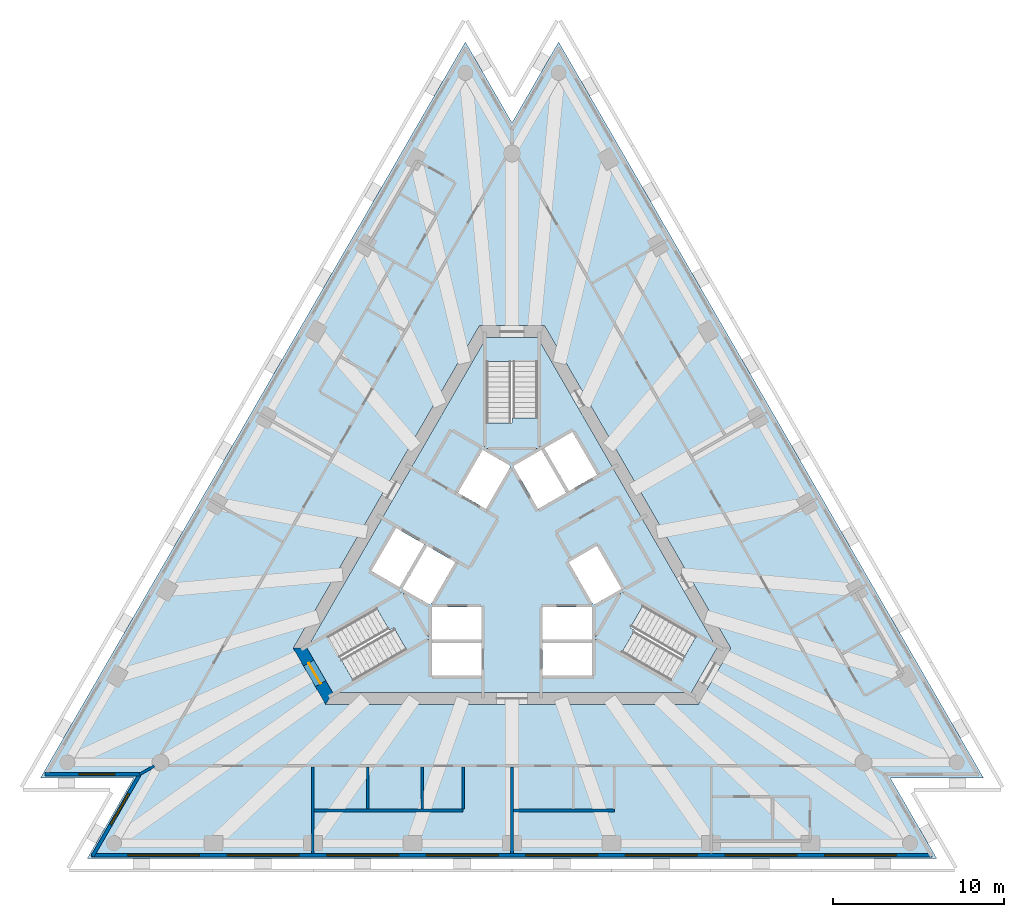
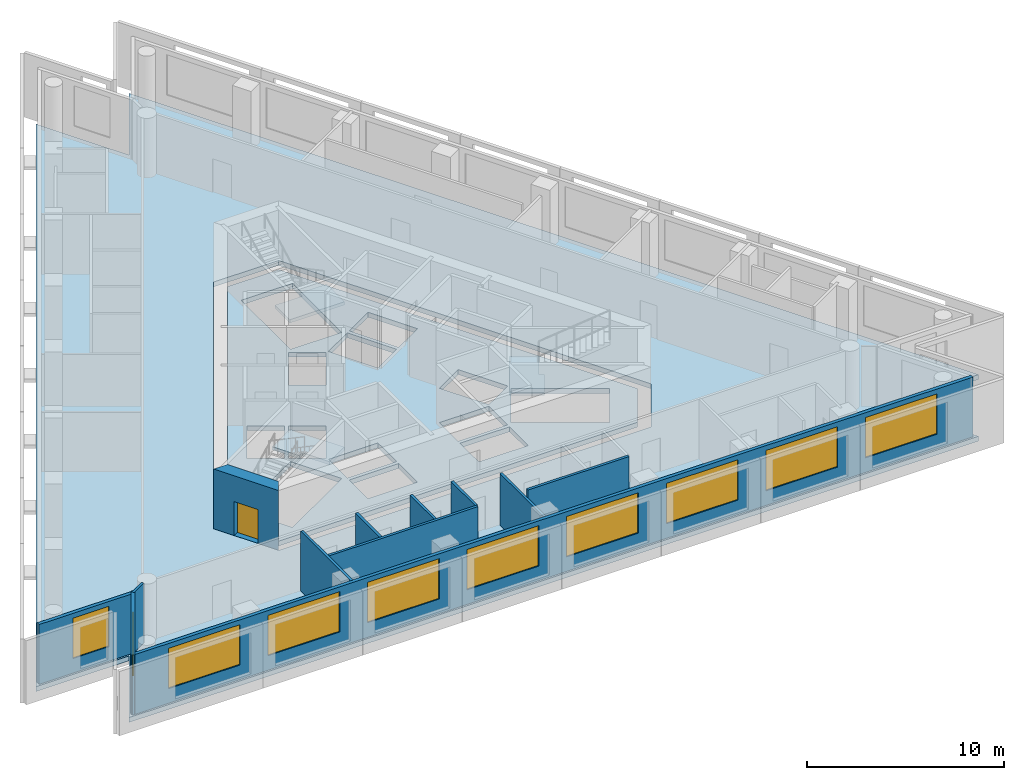
# One storey, part 2 of 10: 12 walls, 10 windows, 5 slabs, 1 door, 11 openings, 3 elements without a shape of their own.
"""IFC4 building model written with IfcOpenShell, lengths in metres."""

from ifc_helpers import new_model, si_unit, direction, frame, frame_2d, origin, place, context, subcontext, project, spatial, polyline, rectangle, outline, extrude, material, layer, layer_set, layer_usage, type_object, element, fill, aggregate, save


model = new_model("IFC4")

# Units and contexts
model_context = context("Model", 3, precision=1e-05, world=origin(), true_north=direction((0.0, 1.0)))
body_context = subcontext(model_context, "Body", "Model", "MODEL_VIEW")
ifc_project = project(units=[si_unit("LENGTHUNIT", "METRE"), si_unit("AREAUNIT", "SQUARE_METRE"), si_unit("VOLUMEUNIT", "CUBIC_METRE"), si_unit("PLANEANGLEUNIT", "RADIAN"), si_unit("MASSUNIT", "GRAM", prefix="KILO")], contexts=[model_context])

# Site, building, storey
site_placement = place(None, origin())
site = spatial("IfcSite", under=ifc_project, at=site_placement, CompositionType="ELEMENT")
building_placement = place(site_placement, origin())
building = spatial("IfcBuilding", under=site, at=building_placement, Name="Triada Interchange Tower", CompositionType="ELEMENT")
storey_placement = place(building_placement, frame((0.0, 0.0, 239.300048828125)))
storey = spatial("IfcBuildingStorey", under=building, at=storey_placement, Name="L56", CompositionType="ELEMENT", Elevation=239.300048828125)

# Slabs
ifc_material_1 = material(Name="Concrete C50/60", Category="concrete")
ifc_layer_1 = layer(ifc_material_1, 0.300048828125)
ifc_layer_set_1 = layer_set([ifc_layer_1], Name="Floor slab 300")
slab_type_1 = type_object("IfcSlabType", Name="Floor slab 300", PredefinedType="FLOOR", material=ifc_layer_set_1)
slab_1_placement = place(storey_placement, frame((0.0, 0.0, -0.300048828125)))
element("IfcSlab", 1, at=slab_1_placement, inside=storey, type_object=slab_type_1, Name="Floor slab L56", PredefinedType="FLOOR", context=body_context, shape_type="SweptSolid", body=[
    extrude(outline(polyline([(-2.73193359375, 30.31689453125), (-27.62109375, -12.79296875), (-22.156982421875, -12.79296875), (-24.888916015625, -17.52392578125), (24.888916015625, -17.52392578125), (22.156982421875, -12.79296875), (27.62109375, -12.79296875), (2.73193359375, 30.31689453125), (0.0, 25.5849609375), (-2.73193359375, 30.31689453125)]), holes=[polyline([(1.905029296875, 13.699951171875), (-1.905029296875, 13.699951171875), (-12.81689453125, -5.199951171875), (-10.912109375, -8.5), (10.912109375, -8.5), (12.81689453125, -5.199951171875), (1.905029296875, 13.699951171875)])]), origin(), (0.0, 0.0, 1.0), 0.300048828125),
])
slab_2_placement = place(storey_placement, frame((0.0, 0.0, -0.300048828125)))
element("IfcSlab", 2, at=slab_2_placement, inside=storey, type_object=slab_type_1, Name="Core floor slab L56 1", PredefinedType="FLOOR", context=body_context, shape_type="SweptSolid", body=[
    extrude(outline(polyline([(12.009033203125, -5.199951171875), (10.508056640625, -7.800048828125), (-10.508056640625, -7.800048828125), (-12.009033203125, -5.199951171875), (-1.5009765625, 13.0), (1.5009765625, 13.0), (12.009033203125, -5.199951171875)]), holes=[polyline([(9.2958984375, -7.09912109375), (10.7958984375, -4.5009765625), (6.466064453125, -2.0009765625), (4.966064453125, -4.59912109375), (9.2958984375, -7.09912109375)]), polyline([(4.77490234375, -2.669921875), (6.419921875, -1.719970703125), (4.969970703125, 0.791015625), (4.137939453125, 0.31103515625), (3.324951171875, -0.158935546875), (4.77490234375, -2.669921875)]), polyline([(1.89404296875, 6.52001953125), (3.343994140625, 4.009033203125), (4.989013671875, 4.958984375), (3.5390625, 7.469970703125), (1.89404296875, 6.52001953125)]), polyline([(1.800048828125, -4.89990234375), (1.800048828125, -6.4990234375), (1.800048828125, -6.800048828125), (4.699951171875, -6.800048828125), (4.699951171875, -4.89990234375), (1.800048828125, -4.89990234375)]), polyline([(4.699951171875, -2.800048828125), (1.800048828125, -2.800048828125), (1.800048828125, -4.699951171875), (4.699951171875, -4.699951171875), (4.699951171875, -2.800048828125)]), polyline([(0.074951171875, 5.469970703125), (1.52490234375, 2.958984375), (3.169921875, 3.908935546875), (1.719970703125, 6.419921875), (0.074951171875, 5.469970703125)]), polyline([(-1.5, 11.60009765625), (-1.5, 6.60009765625), (1.5, 6.60009765625), (1.5, 11.60009765625), (-1.5, 11.60009765625)]), polyline([(-1.52490234375, 2.958984375), (-0.074951171875, 5.469970703125), (-1.719970703125, 6.419921875), (-3.169921875, 3.908935546875), (-1.52490234375, 2.958984375)]), polyline([(-1.800048828125, -2.800048828125), (-4.699951171875, -2.800048828125), (-4.699951171875, -4.699951171875), (-1.800048828125, -4.699951171875), (-1.800048828125, -2.800048828125)]), polyline([(-4.699951171875, -6.800048828125), (-1.800048828125, -6.800048828125), (-1.800048828125, -6.4990234375), (-1.800048828125, -4.89990234375), (-4.699951171875, -4.89990234375), (-4.699951171875, -6.800048828125)]), polyline([(-3.367919921875, -0.134033203125), (-4.969970703125, 0.791015625), (-6.419921875, -1.719970703125), (-4.77490234375, -2.669921875), (-3.324951171875, -0.158935546875), (-3.367919921875, -0.134033203125)]), polyline([(-10.7958984375, -4.5009765625), (-9.2958984375, -7.09912109375), (-4.966064453125, -4.59912109375), (-6.466064453125, -2.0009765625), (-10.7958984375, -4.5009765625)]), polyline([(-6.593994140625, -1.6201171875), (-5.14404296875, 0.89111328125), (-6.7890625, 1.841064453125), (-8.239013671875, -0.669921875), (-6.593994140625, -1.6201171875)])]), origin(), (0.0, 0.0, 1.0), 0.300048828125),
])

# Stair, slab
ifc_material_2 = material(Name="Concrete C35/45", Category="concrete")
stair_type = type_object("IfcStairType", Name="HALF TURN STAIR 1400", PredefinedType="HALF_TURN_STAIR", material=ifc_material_2)
stair_1_placement = place(storey_placement, origin())
stair_1 = element("IfcStair", 3, at=stair_1_placement, inside=storey, type_object=stair_type, Name="Exit stair S56-1", PredefinedType="HALF_TURN_STAIR")
ifc_layer_2 = layer(ifc_material_2, 0.199951171875)
ifc_layer_set_2 = layer_set([ifc_layer_2], Name="STAIR LANDING 200")
slab_type_2 = type_object("IfcSlabType", Name="STAIR LANDING 200", PredefinedType="LANDING", material=ifc_layer_set_2)
slab_3_placement = place(storey_placement, frame((0.0, 0.0, 1.719970703125)))
slab_3 = element("IfcSlab", 4, at=slab_3_placement, type_object=slab_type_2, Name="S56-1 landing 1", PredefinedType="LANDING", context=body_context, shape_type="SweptSolid", body=[
    extrude(outline(polyline([(1.60009765625, 6.5), (1.60009765625, 8.300048828125), (0.0, 8.300048828125), (0.0, 8.0), (-1.60009765625, 8.0), (-1.60009765625, 6.5), (1.60009765625, 6.5)])), origin(), (0.0, 0.0, 1.0), 0.199951171875),
])
aggregate(stair_1, [slab_3])

stair_2_placement = place(storey_placement, origin())
stair_2 = element("IfcStair", 5, at=stair_2_placement, inside=storey, type_object=stair_type, Name="Exit stair S56-2", PredefinedType="HALF_TURN_STAIR")
slab_4_placement = place(storey_placement, frame((0.0, 0.0, 1.719970703125)))
slab_4 = element("IfcSlab", 6, at=slab_4_placement, type_object=slab_type_2, Name="S56-2 landing 1", PredefinedType="LANDING", context=body_context, shape_type="SweptSolid", body=[
    extrude(outline(polyline([(-6.428955078125, -1.864013671875), (-7.988037109375, -2.763916015625), (-7.18798828125, -4.14990234375), (-6.927978515625, -4.0), (-6.1279296875, -5.385986328125), (-4.8291015625, -4.635986328125), (-6.428955078125, -1.864013671875)])), origin(), (0.0, 0.0, 1.0), 0.199951171875),
])
aggregate(stair_2, [slab_4])

stair_3_placement = place(storey_placement, origin())
stair_3 = element("IfcStair", 7, at=stair_3_placement, inside=storey, type_object=stair_type, Name="Exit stair S56-3", PredefinedType="HALF_TURN_STAIR")
slab_5_placement = place(storey_placement, frame((0.0, 0.0, 1.719970703125)))
slab_5 = element("IfcSlab", 8, at=slab_5_placement, type_object=slab_type_2, Name="S56-3 landing 1", PredefinedType="LANDING", context=body_context, shape_type="SweptSolid", body=[
    extrude(outline(polyline([(4.8291015625, -4.635986328125), (6.387939453125, -5.535888671875), (7.18798828125, -4.14990234375), (6.927978515625, -4.0), (7.72802734375, -2.614013671875), (6.428955078125, -1.864013671875), (4.8291015625, -4.635986328125)])), origin(), (0.0, 0.0, 1.0), 0.199951171875),
])
aggregate(stair_3, [slab_5])

# Wall, opening, door
ifc_layer_3 = layer(ifc_material_1, 0.699951171875)
ifc_layer_set_3 = layer_set([ifc_layer_3], Name="Core wall C 700")
wall_type_1 = type_object("IfcWallType", Name="Core wall C 700", PredefinedType="SHEAR", material=ifc_layer_set_3)
wall_1_placement = place(storey_placement, frame((-12.4130859375, -5.199951171875, -0.300048828125), z_axis=(0.0, 0.0, 1.0), x_axis=(0.49999337185, -0.866029230515, 0.0)))
wall_1 = element("IfcWall", 9, at=wall_1_placement, inside=storey, type_object=wall_type_1, Name="Core wall WC03 L56", PredefinedType="SHEAR", context=body_context, shape_type="SweptSolid", body=[
    extrude(outline(polyline([(-0.201904296875, -0.35009765625), (1.703125, -0.35009765625), (3.60791015625, -0.35009765625), (3.2041015625, 0.35009765625), (1.703125, 0.35009765625), (0.201904296875, 0.35009765625), (-0.201904296875, -0.35009765625)])), origin(), (0.0, 0.0, 1.0), 4.0),
])
opening_1_placement = place(wall_1_placement, frame((1.0029296875, 0.0, 0.300048828125)))
opening_1 = element("IfcOpeningElement", 10, at=opening_1_placement, cuts=wall_1, Name="Opening D56-41", PredefinedType="OPENING", context=body_context, shape_type="SweptSolid", body=[
    extrude(rectangle(XDim=1.39990234375, YDim=2.10009765625, at=frame_2d((0.699951171875, 1.050048828125))), frame((0.0, 0.360107421875, 0.0), z_axis=(0.0, -1.0, 0.0), x_axis=(1.0, 0.0, 0.0)), (0.0, 0.0, 1.0), 0.72021484375),
])
ifc_material_3 = material(Name="Steel S235 door leaf", Category="steel")
door_type = type_object("IfcDoorType", Name="STAIR DOOR 1400 EI2 90-C5S200", OperationType="DOUBLE_DOOR_SINGLE_SWING", PredefinedType="DOOR", material=ifc_material_3)
door_placement = place(opening_1_placement, origin())
door = element("IfcDoor", 11, at=door_placement, inside=storey, type_object=door_type, Name="Door D56-41 L56", OperationType="DOUBLE_DOOR_SINGLE_SWING", OverallHeight=2.10009765625, OverallWidth=1.39990234375, PredefinedType="DOOR", context=body_context, shape_type="SweptSolid", body=[
    extrude(rectangle(XDim=1.39990234375, YDim=2.10009765625, at=frame_2d((0.699951171875, 1.050048828125))), frame((0.0, 0.02490234375, 0.0), z_axis=(0.0, -1.0, 0.0), x_axis=(1.0, 0.0, 0.0)), (0.0, 0.0, 1.0), 0.050048828125),
])
fill(opening_1, door)

# Wall, opening, window
ifc_material_4 = material(Name="Cement board")
ifc_layer_4 = layer(ifc_material_4, 0.02001953125, Name="Cement board cladding")
ifc_material_5 = material(Name="Sheathing board")
ifc_layer_5 = layer(ifc_material_5, 0.014892578125, Name="Sheathing board")
ifc_material_6 = material(Name="Mineral wool")
ifc_layer_6 = layer(ifc_material_6, 0.14990234375, Name="Mineral wool between steel studs")
ifc_material_7 = material(Name="Gypsum board")
ifc_layer_7 = layer(ifc_material_7, 0.014892578125, Name="Plasterboard lining")
ifc_layer_set_4 = layer_set([ifc_layer_4, ifc_layer_5, ifc_layer_6, ifc_layer_7], Name="External wall 200")
ifc_layer_usage = layer_usage(ifc_layer_set_4, "AXIS2", "POSITIVE", -0.10009765625)
wall_type_2 = type_object("IfcWallType", Name="External wall 200", PredefinedType="ELEMENTEDWALL", material=ifc_layer_set_4)
wall_2_placement = place(storey_placement, frame((-27.364990234375, -12.593017578125, 0.0), z_axis=(0.0, 0.0, 1.0), x_axis=(1.0, 0.0, 0.0)))
wall_2 = element("IfcWall", 12, at=wall_2_placement, inside=storey, type_object=wall_type_2, material=ifc_layer_usage, Name="External wall L56 SW-1", PredefinedType="ELEMENTEDWALL", context=body_context, shape_type="SweptSolid", body=[
    extrude(rectangle(XDim=5.6240234375, YDim=0.199951171875, at=frame_2d((2.81201171875, 0.0))), origin(), (0.0, 0.0, 1.0), 3.699951171875),
])
opening_2_placement = place(wall_2_placement, frame((1.989990234375, 0.0, 0.89990234375)))
opening_2 = element("IfcOpeningElement", 13, at=opening_2_placement, cuts=wall_2, Name="Opening WC09", PredefinedType="OPENING", context=body_context, shape_type="SweptSolid", body=[
    extrude(rectangle(XDim=2.10009765625, YDim=2.5, at=frame_2d((1.050048828125, 1.25))), frame((0.0, 0.10986328125, 0.0), z_axis=(0.0, -1.0, 0.0), x_axis=(1.0, 0.0, 0.0)), (0.0, 0.0, 1.0), 0.219970703125),
])
ifc_material_8 = material(Name="Double glazed aluminium window", Category="aluminium")
window_type_1 = type_object("IfcWindowType", Name="Ribbon window C pocket", PartitioningType="SINGLE_PANEL", PredefinedType="WINDOW", material=ifc_material_8)
window_1_placement = place(opening_2_placement, origin())
window_1 = element("IfcWindow", 14, at=window_1_placement, inside=storey, type_object=window_type_1, Name="Window L56 SW-1 1", OverallHeight=2.5, OverallWidth=2.10009765625, PartitioningType="SINGLE_PANEL", PredefinedType="WINDOW", context=body_context, shape_type="SweptSolid", body=[
    extrude(rectangle(XDim=2.10009765625, YDim=2.5, at=frame_2d((1.050048828125, 1.25))), frame((0.0, 0.030029296875, 0.0), z_axis=(0.0, -1.0, 0.0), x_axis=(1.0, 0.0, 0.0)), (0.0, 0.0, 1.0), 0.06005859375),
])
fill(opening_2, window_1)

wall_3_placement = place(storey_placement, frame((-21.76611328125, -12.514892578125, 0.0), z_axis=(0.0, 0.0, 1.0), x_axis=(-0.500000548001, -0.866025087395, 0.0)))
wall_3 = element("IfcWall", 15, at=wall_3_placement, inside=storey, type_object=wall_type_2, material=ifc_layer_usage, Name="External wall L56 SW-2", PredefinedType="ELEMENTEDWALL", context=body_context, shape_type="SweptSolid", body=[
    extrude(rectangle(XDim=5.62353515625, YDim=0.199951171875, at=frame_2d((2.811767578125, 0.0))), origin(), (0.0, 0.0, 1.0), 3.699951171875),
])
opening_3_placement = place(wall_3_placement, frame((1.389892578125, 0.0, 0.89990234375)))
opening_3 = element("IfcOpeningElement", 16, at=opening_3_placement, cuts=wall_3, Name="Opening WC10", PredefinedType="OPENING", context=body_context, shape_type="SweptSolid", body=[
    extrude(rectangle(XDim=2.10009765625, YDim=2.5, at=frame_2d((1.050048828125, 1.25))), frame((0.0, 0.10986328125, 0.0), z_axis=(0.0, -1.0, 0.0), x_axis=(1.0, 0.0, 0.0)), (0.0, 0.0, 1.0), 0.219970703125),
])
window_2_placement = place(opening_3_placement, origin())
window_2 = element("IfcWindow", 17, at=window_2_placement, inside=storey, type_object=window_type_1, Name="Window L56 SW-2 1", OverallHeight=2.5, OverallWidth=2.10009765625, PartitioningType="SINGLE_PANEL", PredefinedType="WINDOW", context=body_context, shape_type="SweptSolid", body=[
    extrude(rectangle(XDim=2.10009765625, YDim=2.5, at=frame_2d((1.050048828125, 1.25))), frame((0.0, 0.030029296875, 0.0), z_axis=(0.0, -1.0, 0.0), x_axis=(1.0, 0.0, 0.0)), (0.0, 0.0, 1.0), 0.06005859375),
])
fill(opening_3, window_2)

# Wall, openings, windows
wall_4_placement = place(storey_placement, frame((-24.633056640625, -17.323974609375, 0.0), z_axis=(0.0, 0.0, 1.0), x_axis=(1.0, 0.0, 0.0)))
wall_4 = element("IfcWall", 18, at=wall_4_placement, inside=storey, type_object=wall_type_2, material=ifc_layer_usage, Name="External wall L56 S", PredefinedType="ELEMENTEDWALL", context=body_context, shape_type="SweptSolid", body=[
    extrude(rectangle(XDim=49.24609375, YDim=0.199951171875, at=frame_2d((24.623046875, 0.0))), origin(), (0.0, 0.0, 1.0), 3.699951171875),
])
opening_4_placement = place(wall_4_placement, frame((2.118896484375, 0.0, 0.89990234375)))
opening_4 = element("IfcOpeningElement", 19, at=opening_4_placement, cuts=wall_4, Name="Opening WC11", PredefinedType="OPENING", context=body_context, shape_type="SweptSolid", body=[
    extrude(rectangle(XDim=4.199951171875, YDim=2.5, at=frame_2d((2.10009765625, 1.25))), frame((0.0, 0.10986328125, 0.0), z_axis=(0.0, -1.0, 0.0), x_axis=(1.0, 0.0, 0.0)), (0.0, 0.0, 1.0), 0.219970703125),
])
opening_5_placement = place(wall_4_placement, frame((7.951904296875, 0.0, 0.89990234375)))
opening_5 = element("IfcOpeningElement", 20, at=opening_5_placement, cuts=wall_4, Name="Opening WC12", PredefinedType="OPENING", context=body_context, shape_type="SweptSolid", body=[
    extrude(rectangle(XDim=4.199951171875, YDim=2.5, at=frame_2d((2.10009765625, 1.25))), frame((0.0, 0.10986328125, 0.0), z_axis=(0.0, -1.0, 0.0), x_axis=(1.0, 0.0, 0.0)), (0.0, 0.0, 1.0), 0.219970703125),
])
opening_6_placement = place(wall_4_placement, frame((13.783935546875, 0.0, 0.89990234375)))
opening_6 = element("IfcOpeningElement", 21, at=opening_6_placement, cuts=wall_4, Name="Opening WC13", PredefinedType="OPENING", context=body_context, shape_type="SweptSolid", body=[
    extrude(rectangle(XDim=4.199951171875, YDim=2.5, at=frame_2d((2.10009765625, 1.25))), frame((0.0, 0.10986328125, 0.0), z_axis=(0.0, -1.0, 0.0), x_axis=(1.0, 0.0, 0.0)), (0.0, 0.0, 1.0), 0.219970703125),
])
opening_7_placement = place(wall_4_placement, frame((19.616943359375, 0.0, 0.89990234375)))
opening_7 = element("IfcOpeningElement", 22, at=opening_7_placement, cuts=wall_4, Name="Opening WC14", PredefinedType="OPENING", context=body_context, shape_type="SweptSolid", body=[
    extrude(rectangle(XDim=4.199951171875, YDim=2.5, at=frame_2d((2.10009765625, 1.25))), frame((0.0, 0.10986328125, 0.0), z_axis=(0.0, -1.0, 0.0), x_axis=(1.0, 0.0, 0.0)), (0.0, 0.0, 1.0), 0.219970703125),
])
opening_8_placement = place(wall_4_placement, frame((25.448974609375, 0.0, 0.89990234375)))
opening_8 = element("IfcOpeningElement", 23, at=opening_8_placement, cuts=wall_4, Name="Opening WC15", PredefinedType="OPENING", context=body_context, shape_type="SweptSolid", body=[
    extrude(rectangle(XDim=4.199951171875, YDim=2.5, at=frame_2d((2.10009765625, 1.25))), frame((0.0, 0.10986328125, 0.0), z_axis=(0.0, -1.0, 0.0), x_axis=(1.0, 0.0, 0.0)), (0.0, 0.0, 1.0), 0.219970703125),
])
opening_9_placement = place(wall_4_placement, frame((31.281982421875, 0.0, 0.89990234375)))
opening_9 = element("IfcOpeningElement", 24, at=opening_9_placement, cuts=wall_4, Name="Opening WC16", PredefinedType="OPENING", context=body_context, shape_type="SweptSolid", body=[
    extrude(rectangle(XDim=4.199951171875, YDim=2.5, at=frame_2d((2.10009765625, 1.25))), frame((0.0, 0.10986328125, 0.0), z_axis=(0.0, -1.0, 0.0), x_axis=(1.0, 0.0, 0.0)), (0.0, 0.0, 1.0), 0.219970703125),
])
opening_10_placement = place(wall_4_placement, frame((37.114013671875, 0.0, 0.89990234375)))
opening_10 = element("IfcOpeningElement", 25, at=opening_10_placement, cuts=wall_4, Name="Opening WC17", PredefinedType="OPENING", context=body_context, shape_type="SweptSolid", body=[
    extrude(rectangle(XDim=4.199951171875, YDim=2.5, at=frame_2d((2.10009765625, 1.25))), frame((0.0, 0.10986328125, 0.0), z_axis=(0.0, -1.0, 0.0), x_axis=(1.0, 0.0, 0.0)), (0.0, 0.0, 1.0), 0.219970703125),
])
opening_11_placement = place(wall_4_placement, frame((42.947021484375, 0.0, 0.89990234375)))
opening_11 = element("IfcOpeningElement", 26, at=opening_11_placement, cuts=wall_4, Name="Opening WC18", PredefinedType="OPENING", context=body_context, shape_type="SweptSolid", body=[
    extrude(rectangle(XDim=4.199951171875, YDim=2.5, at=frame_2d((2.10009765625, 1.25))), frame((0.0, 0.10986328125, 0.0), z_axis=(0.0, -1.0, 0.0), x_axis=(1.0, 0.0, 0.0)), (0.0, 0.0, 1.0), 0.219970703125),
])
window_type_2 = type_object("IfcWindowType", Name="Ribbon window C face", PartitioningType="SINGLE_PANEL", PredefinedType="WINDOW", material=ifc_material_8)
window_3_placement = place(opening_4_placement, origin())
window_3 = element("IfcWindow", 27, at=window_3_placement, inside=storey, type_object=window_type_2, Name="Window L56 S 1", OverallHeight=2.5, OverallWidth=4.199951171875, PartitioningType="SINGLE_PANEL", PredefinedType="WINDOW", context=body_context, shape_type="SweptSolid", body=[
    extrude(rectangle(XDim=4.199951171875, YDim=2.5, at=frame_2d((2.10009765625, 1.25))), frame((0.0, 0.030029296875, 0.0), z_axis=(0.0, -1.0, 0.0), x_axis=(1.0, 0.0, 0.0)), (0.0, 0.0, 1.0), 0.06005859375),
])
fill(opening_4, window_3)
window_4_placement = place(opening_5_placement, origin())
window_4 = element("IfcWindow", 28, at=window_4_placement, inside=storey, type_object=window_type_2, Name="Window L56 S 2", OverallHeight=2.5, OverallWidth=4.199951171875, PartitioningType="SINGLE_PANEL", PredefinedType="WINDOW", context=body_context, shape_type="SweptSolid", body=[
    extrude(rectangle(XDim=4.199951171875, YDim=2.5, at=frame_2d((2.10009765625, 1.25))), frame((0.0, 0.030029296875, 0.0), z_axis=(0.0, -1.0, 0.0), x_axis=(1.0, 0.0, 0.0)), (0.0, 0.0, 1.0), 0.06005859375),
])
fill(opening_5, window_4)
window_5_placement = place(opening_6_placement, origin())
window_5 = element("IfcWindow", 29, at=window_5_placement, inside=storey, type_object=window_type_2, Name="Window L56 S 3", OverallHeight=2.5, OverallWidth=4.199951171875, PartitioningType="SINGLE_PANEL", PredefinedType="WINDOW", context=body_context, shape_type="SweptSolid", body=[
    extrude(rectangle(XDim=4.199951171875, YDim=2.5, at=frame_2d((2.10009765625, 1.25))), frame((0.0, 0.030029296875, 0.0), z_axis=(0.0, -1.0, 0.0), x_axis=(1.0, 0.0, 0.0)), (0.0, 0.0, 1.0), 0.06005859375),
])
fill(opening_6, window_5)
window_6_placement = place(opening_7_placement, origin())
window_6 = element("IfcWindow", 30, at=window_6_placement, inside=storey, type_object=window_type_2, Name="Window L56 S 4", OverallHeight=2.5, OverallWidth=4.199951171875, PartitioningType="SINGLE_PANEL", PredefinedType="WINDOW", context=body_context, shape_type="SweptSolid", body=[
    extrude(rectangle(XDim=4.199951171875, YDim=2.5, at=frame_2d((2.10009765625, 1.25))), frame((0.0, 0.030029296875, 0.0), z_axis=(0.0, -1.0, 0.0), x_axis=(1.0, 0.0, 0.0)), (0.0, 0.0, 1.0), 0.06005859375),
])
fill(opening_7, window_6)
window_7_placement = place(opening_8_placement, origin())
window_7 = element("IfcWindow", 31, at=window_7_placement, inside=storey, type_object=window_type_2, Name="Window L56 S 5", OverallHeight=2.5, OverallWidth=4.199951171875, PartitioningType="SINGLE_PANEL", PredefinedType="WINDOW", context=body_context, shape_type="SweptSolid", body=[
    extrude(rectangle(XDim=4.199951171875, YDim=2.5, at=frame_2d((2.10009765625, 1.25))), frame((0.0, 0.030029296875, 0.0), z_axis=(0.0, -1.0, 0.0), x_axis=(1.0, 0.0, 0.0)), (0.0, 0.0, 1.0), 0.06005859375),
])
fill(opening_8, window_7)
window_8_placement = place(opening_9_placement, origin())
window_8 = element("IfcWindow", 32, at=window_8_placement, inside=storey, type_object=window_type_2, Name="Window L56 S 6", OverallHeight=2.5, OverallWidth=4.199951171875, PartitioningType="SINGLE_PANEL", PredefinedType="WINDOW", context=body_context, shape_type="SweptSolid", body=[
    extrude(rectangle(XDim=4.199951171875, YDim=2.5, at=frame_2d((2.10009765625, 1.25))), frame((0.0, 0.030029296875, 0.0), z_axis=(0.0, -1.0, 0.0), x_axis=(1.0, 0.0, 0.0)), (0.0, 0.0, 1.0), 0.06005859375),
])
fill(opening_9, window_8)
window_9_placement = place(opening_10_placement, origin())
window_9 = element("IfcWindow", 33, at=window_9_placement, inside=storey, type_object=window_type_2, Name="Window L56 S 7", OverallHeight=2.5, OverallWidth=4.199951171875, PartitioningType="SINGLE_PANEL", PredefinedType="WINDOW", context=body_context, shape_type="SweptSolid", body=[
    extrude(rectangle(XDim=4.199951171875, YDim=2.5, at=frame_2d((2.10009765625, 1.25))), frame((0.0, 0.030029296875, 0.0), z_axis=(0.0, -1.0, 0.0), x_axis=(1.0, 0.0, 0.0)), (0.0, 0.0, 1.0), 0.06005859375),
])
fill(opening_10, window_9)
window_10_placement = place(opening_11_placement, origin())
window_10 = element("IfcWindow", 34, at=window_10_placement, inside=storey, type_object=window_type_2, Name="Window L56 S 8", OverallHeight=2.5, OverallWidth=4.199951171875, PartitioningType="SINGLE_PANEL", PredefinedType="WINDOW", context=body_context, shape_type="SweptSolid", body=[
    extrude(rectangle(XDim=4.199951171875, YDim=2.5, at=frame_2d((2.10009765625, 1.25))), frame((0.0, 0.030029296875, 0.0), z_axis=(0.0, -1.0, 0.0), x_axis=(1.0, 0.0, 0.0)), (0.0, 0.0, 1.0), 0.06005859375),
])
fill(opening_11, window_10)

# Walls
ifc_material_9 = material(Name="Gypsum board partition")
ifc_layer_8 = layer(ifc_material_9, 0.14990234375)
ifc_layer_set_5 = layer_set([ifc_layer_8], Name="PARTITION 150 EI 180")
wall_type_3 = type_object("IfcWallType", Name="PARTITION 150 EI 180", PredefinedType="PARTITIONING", material=ifc_layer_set_5)
wall_5_placement = place(storey_placement, frame((-21.81103515625, -12.593017578125, 0.0), z_axis=(0.0, 0.0, 1.0), x_axis=(0.866086641072, 0.499893918903, 0.0)))
element("IfcWall", 35, at=wall_5_placement, inside=storey, type_object=wall_type_3, Name="Wall L56 1", PredefinedType="PARTITIONING", context=body_context, shape_type="SweptSolid", body=[
    extrude(rectangle(XDim=0.986083984375, YDim=0.14990234375, at=frame_2d((0.4931640625, 0.0))), origin(), (0.0, 0.0, 1.0), 3.699951171875),
])
wall_6_placement = place(storey_placement, frame((-11.6650390625, -17.243896484375, 0.0), z_axis=(0.0, 0.0, 1.0), x_axis=(0.0, 1.0, 0.0)))
element("IfcWall", 36, at=wall_6_placement, inside=storey, type_object=wall_type_3, Name="Wall L56 8", PredefinedType="PARTITIONING", context=body_context, shape_type="SweptSolid", body=[
    extrude(rectangle(XDim=5.06884765625, YDim=0.14990234375, at=frame_2d((2.534423828125, 0.0))), origin(), (0.0, 0.0, 1.0), 3.699951171875),
])
wall_7_placement = place(storey_placement, frame((-11.590087890625, -14.7119140625, 0.0), z_axis=(0.0, 0.0, 1.0), x_axis=(1.0, 0.0, 0.0)))
element("IfcWall", 37, at=wall_7_placement, inside=storey, type_object=wall_type_3, Name="Wall L56 9", PredefinedType="PARTITIONING", context=body_context, shape_type="SweptSolid", body=[
    extrude(rectangle(XDim=8.72509765625, YDim=0.14990234375, at=frame_2d((4.362548828125, 0.0))), origin(), (0.0, 0.0, 1.0), 3.699951171875),
])
wall_8_placement = place(storey_placement, frame((0.074951171875, -14.7119140625, 0.0), z_axis=(0.0, 0.0, 1.0), x_axis=(1.0, 0.0, 0.0)))
element("IfcWall", 38, at=wall_8_placement, inside=storey, type_object=wall_type_3, Name="Wall L56 10", PredefinedType="PARTITIONING", context=body_context, shape_type="SweptSolid", body=[
    extrude(rectangle(XDim=5.925048828125, YDim=0.14990234375, at=frame_2d((2.96240234375, 0.0))), origin(), (0.0, 0.0, 1.0), 3.699951171875),
])
for number, where, z_axis, x_axis, name in (
    (39, (-8.465087890625, -14.636962890625, 0.0), (0.0, 0.0, 1.0), (0.0, 1.0, 0.0), "Wall L56 16"),
    (40, (-2.864990234375, -14.636962890625, 0.0), (0.0, 0.0, 1.0), (0.0, 1.0, 0.0), "Wall L56 17"),
    (41, (-5.264892578125, -14.636962890625, 0.0), (0.0, 0.0, 1.0), (0.0, 1.0, 0.0), "Wall L56 18"),
):
    element("IfcWall", number, at=place(storey_placement, frame(where, z_axis=z_axis, x_axis=x_axis)), inside=storey, type_object=wall_type_3, Name=name, PredefinedType="PARTITIONING", context=body_context, shape_type="SweptSolid", body=[
        extrude(rectangle(XDim=2.4619140625, YDim=0.14990234375, at=frame_2d((1.23095703125, 0.0))), origin(), (0.0, 0.0, 1.0), 3.699951171875),
    ])
wall_9_placement = place(storey_placement, frame((0.0, -17.243896484375, 0.0), z_axis=(0.0, 0.0, 1.0), x_axis=(0.0, 1.0, 0.0)))
element("IfcWall", 42, at=wall_9_placement, inside=storey, type_object=wall_type_3, Name="Wall L56 19", PredefinedType="PARTITIONING", context=body_context, shape_type="SweptSolid", body=[
    extrude(rectangle(XDim=5.06884765625, YDim=0.14990234375, at=frame_2d((2.534423828125, 0.0))), origin(), (0.0, 0.0, 1.0), 3.199951171875),
])

save(model, "model.ifc")
